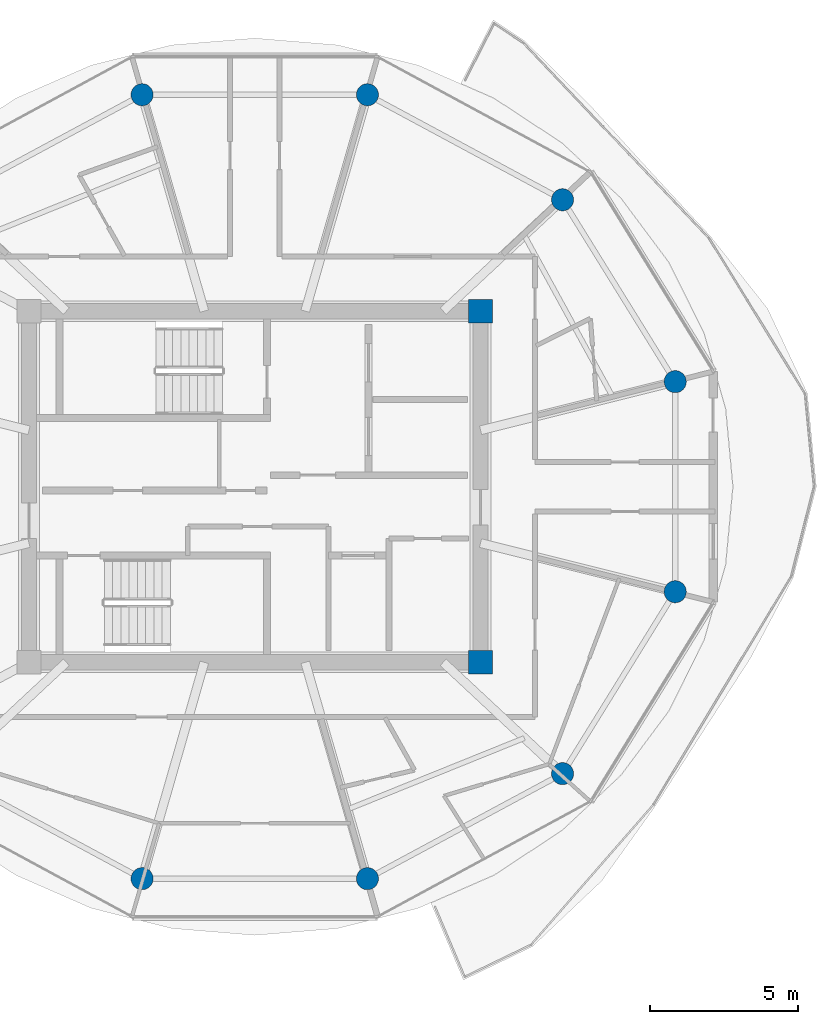
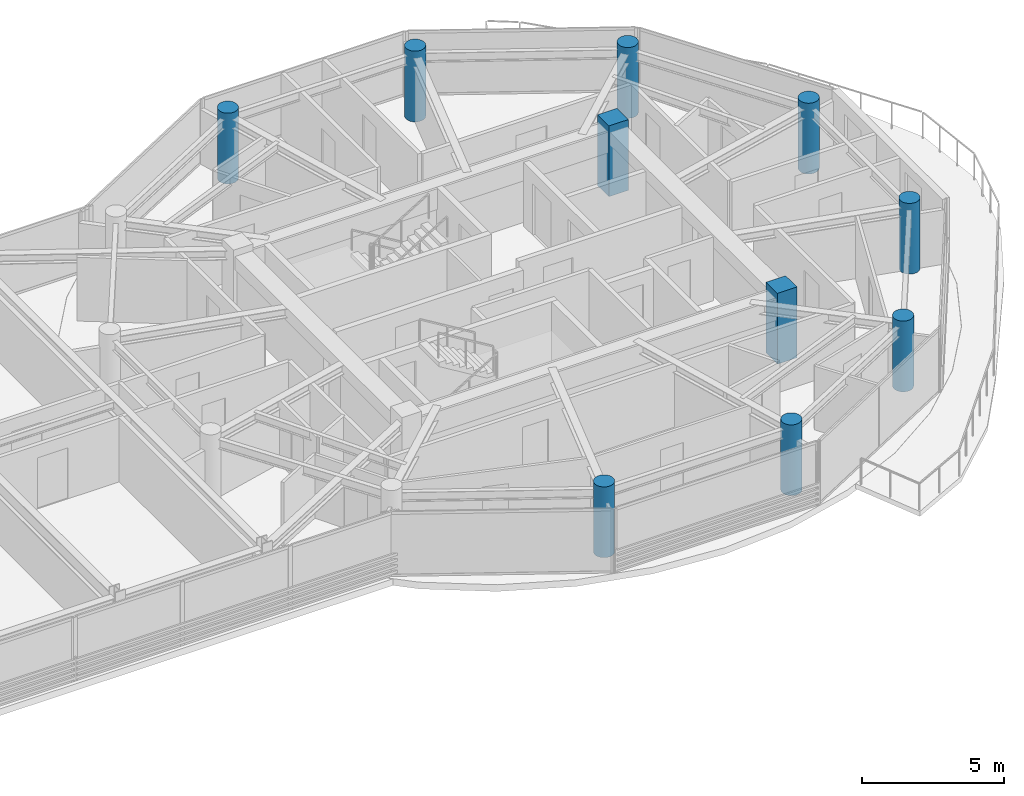
# One storey, part 2 of 24: 10 columns.
"""IFC4 building model written with IfcOpenShell, lengths in metres."""

import ifcopenshell
import ifcopenshell.guid

model = None  # the IFC model being written
_history = None  # IfcOwnerHistory: only IFC2X3 demands one
_inside = {}  # id of a spatial element -> (the spatial element, [elements in it])
_under = {}  # id of a project, library or spatial element -> (it, [spatial elements below it])
_declared = {}  # id of a project -> (the project, [libraries it declares])
_typed = {}  # id of a type object -> (the type object, [elements of that type])
_made_of = {}  # id of a material, layer set ... -> (it, [elements and type objects made of it])


def new_model(schema):
    """Start an empty IFC model of exactly this schema.

    Asked for "IFC4X3", IfcOpenShell would pick the latest addendum, in which some entities
    have other attributes; the version numbers below select the first issue.
    IFC2X3 requires an IfcOwnerHistory on every rooted entity: one is made here for all.
    """
    global model, _history
    if schema == "IFC4X3":
        model = ifcopenshell.file(schema_version=(4, 3, 0, 0))
    else:
        model = ifcopenshell.file(schema=schema)
    _inside.clear()
    _under.clear()
    _declared.clear()
    _typed.clear()
    _made_of.clear()
    _history = None
    if model.schema == "IFC2X3":
        org = make("IfcOrganization", Name="unknown")
        user = make(
            "IfcPersonAndOrganization",
            ThePerson=make("IfcPerson", FamilyName="unknown"),
            TheOrganization=org,
        )
        app = make(
            "IfcApplication",
            ApplicationDeveloper=org,
            Version="unknown",
            ApplicationFullName="unknown",
            ApplicationIdentifier="unknown",
        )
        _history = make(
            "IfcOwnerHistory",
            OwningUser=user,
            OwningApplication=app,
            ChangeAction="ADDED",
            CreationDate=0,
        )
    return model


def make(cls, **values):
    """One entity of the class cls with the attributes given. An attribute that is None is left unset."""
    return model.create_entity(
        cls, **{name: value for name, value in values.items() if value is not None}
    )


def rooted(cls, **values):
    """An entity with a GlobalId (a new one), such as an element, a storey or a relation."""
    return make(cls, GlobalId=ifcopenshell.guid.new(), OwnerHistory=_history, **values)


def si_unit(unit_type, name, prefix=None):
    """IfcSIUnit, for example si_unit("LENGTHUNIT", "METRE", prefix="MILLI")."""
    return make("IfcSIUnit", UnitType=unit_type, Prefix=prefix, Name=name)


def assignment(units):
    """IfcUnitAssignment: the units of a project."""
    return None if units is None else make("IfcUnitAssignment", Units=units)


def point(xyz):
    """IfcCartesianPoint."""
    return None if xyz is None else make("IfcCartesianPoint", Coordinates=xyz)


def direction(xyz):
    """IfcDirection."""
    return None if xyz is None else make("IfcDirection", DirectionRatios=xyz)


def frame(location, z_axis=None, x_axis=None):
    """IfcAxis2Placement3D, a coordinate frame: its origin and axes. An axis left out is left unset."""
    return make(
        "IfcAxis2Placement3D",
        Location=point(location),
        Axis=direction(z_axis),
        RefDirection=direction(x_axis),
    )


def frame_2d(location, x_axis=None):
    """IfcAxis2Placement2D, a coordinate frame in the plane: its origin and x axis."""
    return make(
        "IfcAxis2Placement2D", Location=point(location), RefDirection=direction(x_axis)
    )


def origin():
    """The frame at (0, 0, 0) with its axes left unset."""
    return frame((0.0, 0.0, 0.0))


def origin_2d():
    """The frame at (0, 0) in the plane with its x axis left unset."""
    return frame_2d((0.0, 0.0))


def place(relative_to, where):
    """IfcLocalPlacement: puts the frame where relative to a parent placement (None: the world)."""
    return make(
        "IfcLocalPlacement", PlacementRelTo=relative_to, RelativePlacement=where
    )


def context(
    kind, dimensions, precision=None, world=None, true_north=None, identifier=None
):
    """IfcGeometricRepresentationContext, for example the 3D "Model" context."""
    return make(
        "IfcGeometricRepresentationContext",
        ContextIdentifier=identifier,
        ContextType=kind,
        CoordinateSpaceDimension=dimensions,
        Precision=precision,
        WorldCoordinateSystem=world,
        TrueNorth=true_north,
    )


def subcontext(parent, identifier, kind, view, scale=None):
    """IfcGeometricRepresentationSubContext, for example "Body" below "Model"."""
    return make(
        "IfcGeometricRepresentationSubContext",
        ContextIdentifier=identifier,
        ContextType=kind,
        ParentContext=parent,
        TargetScale=scale,
        TargetView=view,
    )


def project(units=None, contexts=None):
    """IfcProject with its units and contexts."""
    return rooted(
        "IfcProject",
        Name="project",
        RepresentationContexts=contexts,
        UnitsInContext=assignment(units),
    )


def spatial(cls, under=None, at=None, **own):
    """A site, building, storey or space (cls), placed at a placement, below another one or the project."""
    s = rooted(cls, ObjectPlacement=at, **own)
    if under is not None:
        _under.setdefault(under.id(), (under, []))[1].append(s)
    return s


def profile(cls, at=None, kind="AREA", **sizes):
    """A parametric profile (cls). Its sizes go by their IFC names, for example OverallWidth=200.0."""
    return make(cls, ProfileType=kind, Position=at, **sizes)


def rectangle(**sizes):
    """IfcRectangleProfileDef."""
    return profile("IfcRectangleProfileDef", **sizes)


def circle(**sizes):
    """IfcCircleProfileDef."""
    return profile("IfcCircleProfileDef", **sizes)


def extrude(swept, where, along, depth):
    """IfcExtrudedAreaSolid: the profile swept, set in the frame where, extruded along a direction by depth."""
    return make(
        "IfcExtrudedAreaSolid",
        SweptArea=swept,
        Position=where,
        ExtrudedDirection=direction(along),
        Depth=depth,
    )


def shape(context_of_items, identifier, shape_type, items):
    """IfcShapeRepresentation: the items that make up one representation, for example the "Body"."""
    return make(
        "IfcShapeRepresentation",
        ContextOfItems=context_of_items,
        RepresentationIdentifier=identifier,
        RepresentationType=shape_type,
        Items=items,
    )


def source(mapping_origin, context_of_items, identifier, shape_type, items):
    """IfcRepresentationMap: a shape defined once, which mapped items show again and again."""
    return make(
        "IfcRepresentationMap",
        MappingOrigin=mapping_origin,
        MappedRepresentation=shape(context_of_items, identifier, shape_type, items),
    )


def transform(
    local_origin,
    x_axis=None,
    y_axis=None,
    z_axis=None,
    scale=None,
    scale2=None,
    scale3=None,
    uniform=True,
):
    """IfcCartesianTransformationOperator3D, or its non-uniform kind. x_axis, y_axis, z_axis: its Axis1, 2, 3."""
    if uniform:
        return make(
            "IfcCartesianTransformationOperator3D",
            Axis1=direction(x_axis),
            Axis2=direction(y_axis),
            LocalOrigin=point(local_origin),
            Scale=scale,
            Axis3=direction(z_axis),
        )
    return make(
        "IfcCartesianTransformationOperator3DnonUniform",
        Axis1=direction(x_axis),
        Axis2=direction(y_axis),
        LocalOrigin=point(local_origin),
        Scale=scale,
        Axis3=direction(z_axis),
        Scale2=scale2,
        Scale3=scale3,
    )


def mapped(mapping_source, mapping_target):
    """IfcMappedItem: shows the shape of a source again, moved by a transform."""
    return make(
        "IfcMappedItem", MappingSource=mapping_source, MappingTarget=mapping_target
    )


def material(Name=None, Category=None):
    """IfcMaterial."""
    return make("IfcMaterial", Name=Name, Category=Category)


def material_profile(
    of_material, cross_section, Name=None, Category=None, Priority=None
):
    """IfcMaterialProfile: a cross section and its material."""
    return make(
        "IfcMaterialProfile",
        Name=Name,
        Material=of_material,
        Profile=cross_section,
        Priority=Priority,
        Category=Category,
    )


def profile_set(profiles, Name=None, composite=None):
    """IfcMaterialProfileSet."""
    return make(
        "IfcMaterialProfileSet",
        Name=Name,
        MaterialProfiles=profiles,
        CompositeProfile=composite,
    )


def made_of(thing, what):
    """Note that an element or type object is made of a material, layer set ...; save() writes the relation."""
    if what is not None:
        _made_of.setdefault(what.id(), (what, []))[1].append(thing)
    return thing


def type_object(cls, material=None, **own):
    """A type object (cls), such as IfcWallType, which elements share."""
    return made_of(rooted(cls, **own), material)


def type_shapes(of_type, sources):
    """Give a type object the sources (RepresentationMaps) that its elements show as mapped items."""
    of_type.RepresentationMaps = sources


def element(
    cls,
    number,
    at=None,
    inside=None,
    cuts=None,
    type_object=None,
    material=None,
    context=None,
    identifier="Body",
    shape_type=None,
    held_by="IfcProductDefinitionShape",
    body=None,
    shapes=None,
    **own,
):
    """One element of the class cls, such as IfcWall. Its Tag is "e" and its number.

    at: its placement. inside: the storey or other place that contains it. cuts: it is an
    opening in that element (IfcRelVoidsElement). A single representation is given by context,
    identifier, shape_type and body (its items); several are given by shapes. held_by: the class
    of the entity that holds the representations. save() writes the other relations.
    """
    e = rooted(cls, Tag="e%d" % number, ObjectPlacement=at, **own)
    if body is not None:
        shapes = [shape(context, identifier, shape_type, body)]
    if shapes is not None:
        e.Representation = make(held_by, Representations=shapes)
    if inside is not None:
        _inside.setdefault(inside.id(), (inside, []))[1].append(e)
    if cuts is not None:
        rooted(
            "IfcRelVoidsElement", RelatingBuildingElement=cuts, RelatedOpeningElement=e
        )
    if type_object is not None:
        _typed.setdefault(type_object.id(), (type_object, []))[1].append(e)
    return made_of(e, material)


def aggregate(whole, parts):
    """IfcRelAggregates: a whole, such as a stair, and the parts it consists of."""
    return rooted("IfcRelAggregates", RelatingObject=whole, RelatedObjects=parts)


def save(model, path):
    """Write the relations noted so far, then the file.

    IfcRelAggregates (storeys below a building ...), IfcRelContainedInSpatialStructure (elements
    in a storey), IfcRelDefinesByType, IfcRelAssociatesMaterial and IfcRelDeclares: one each for
    every whole, place, type object, material and project.
    """
    for whole, parts in _under.values():
        aggregate(whole, parts)
    for where, things in _inside.values():
        rooted(
            "IfcRelContainedInSpatialStructure",
            RelatedElements=things,
            RelatingStructure=where,
        )
    for kind, things in _typed.values():
        rooted("IfcRelDefinesByType", RelatedObjects=things, RelatingType=kind)
    for what, things in _made_of.values():
        rooted("IfcRelAssociatesMaterial", RelatedObjects=things, RelatingMaterial=what)
    for by, libraries in _declared.values():
        rooted("IfcRelDeclares", RelatingContext=by, RelatedDefinitions=libraries)
    model.write(path)


model = new_model("IFC4")

# Units and contexts
model_context = context("Model", 3, precision=1e-05, world=origin(), true_north=direction((0.0, 1.0)))
body_context = subcontext(model_context, "Body", "Model", "MODEL_VIEW")
ifc_project = project(units=[si_unit("LENGTHUNIT", "METRE"), si_unit("AREAUNIT", "SQUARE_METRE"), si_unit("VOLUMEUNIT", "CUBIC_METRE"), si_unit("PLANEANGLEUNIT", "RADIAN"), si_unit("MASSUNIT", "GRAM", prefix="KILO")], contexts=[model_context])

# Site, building, storey
site_placement = place(None, origin())
site = spatial("IfcSite", under=ifc_project, at=site_placement, CompositionType="ELEMENT")
building_placement = place(site_placement, origin())
building = spatial("IfcBuilding", under=site, at=building_placement, Name="Norrkilde Senior Care Towers", CompositionType="ELEMENT")
storey_placement = place(building_placement, frame((0.0, 0.0, 213.89990234375)))
storey = spatial("IfcBuildingStorey", under=building, at=storey_placement, Name="L66", CompositionType="ELEMENT", Elevation=213.89990234375)

# Columns
ifc_material_1 = material(Name="Concrete C60/75", Category="concrete")
ifc_material_profile_1 = material_profile(ifc_material_1, rectangle(XDim=0.800048828125, YDim=0.800048828125, at=origin_2d()), Name="RC COL 800x800")
ifc_profile_set_1 = profile_set([ifc_material_profile_1], Name="Concrete C60/75")
column_type_1 = type_object("IfcColumnType", Name="Column Core Corner Z3-Z4 800", PredefinedType="COLUMN", material=ifc_profile_set_1)
shared_shape_1 = source(origin(), body_context, "Body", "SweptSolid", [
    extrude(rectangle(XDim=0.800048828125, YDim=0.800048828125, at=origin_2d()), origin(), (0.0, 0.0, 1.0), 3.050048828125),
])
type_shapes(column_type_1, [shared_shape_1])
for number, where, z_axis, x_axis, name in (
    (1, (35.64990234375, -5.949951171875, 0.0), (0.0, 0.0, 1.0), (1.0, 0.0, 0.0), "L66 Core E Corner Column 2"),
    (2, (35.64990234375, 5.949951171875, 0.0), (0.0, 0.0, 1.0), (1.0, 0.0, 0.0), "L66 Core E Corner Column 3"),
):
    element("IfcColumn", number, at=place(storey_placement, frame(where, z_axis=z_axis, x_axis=x_axis)), inside=storey, type_object=column_type_1, Name=name, PredefinedType="COLUMN", context=body_context, shape_type="MappedRepresentation", body=[
        mapped(shared_shape_1, transform((0.0, 0.0, 0.0), x_axis=(1.0, 0.0, 0.0), y_axis=(0.0, 1.0, 0.0), z_axis=(0.0, 0.0, 1.0), scale=1.0)),
    ])
ifc_material_2 = material(Name="Concrete C50/60", Category="concrete")
ifc_material_profile_2 = material_profile(ifc_material_2, circle(Radius=0.375, at=origin_2d()), Name="RC CIR 750")
ifc_profile_set_2 = profile_set([ifc_material_profile_2], Name="Concrete C50/60")
column_type_2 = type_object("IfcColumnType", Name="Column Perimeter Z4 750", PredefinedType="COLUMN", material=ifc_profile_set_2)
shared_shape_2 = source(origin(), body_context, "Body", "SweptSolid", [
    extrude(circle(Radius=0.375, at=origin_2d()), origin(), (0.0, 0.0, 1.0), 3.050048828125),
])
type_shapes(column_type_2, [shared_shape_2])
for number, where, z_axis, x_axis, name in (
    (3, (42.247314453125, 3.558837890625, 0.0), (0.0, 0.0, 1.0), (1.0, 0.0, 0.0), "L66 Drum E Perimeter Column 01"),
    (4, (38.429931640625, 9.72265625, 0.0), (0.0, 0.0, 1.0), (1.0, 0.0, 0.0), "L66 Drum E Perimeter Column 02"),
    (5, (31.817626953125, 13.281494140625, 0.0), (0.0, 0.0, 1.0), (1.0, 0.0, 0.0), "L66 Drum E Perimeter Column 03"),
    (6, (24.182373046875, 13.281494140625, 0.0), (0.0, 0.0, 1.0), (1.0, 0.0, 0.0), "L66 Drum E Perimeter Column 04"),
    (7, (24.182373046875, -13.281494140625, 0.0), (0.0, 0.0, 1.0), (1.0, 0.0, 0.0), "L66 Drum E Perimeter Column 09"),
    (8, (31.817626953125, -13.281494140625, 0.0), (0.0, 0.0, 1.0), (1.0, 0.0, 0.0), "L66 Drum E Perimeter Column 10"),
    (9, (38.429931640625, -9.72265625, 0.0), (0.0, 0.0, 1.0), (1.0, 0.0, 0.0), "L66 Drum E Perimeter Column 11"),
    (10, (42.247314453125, -3.558837890625, 0.0), (0.0, 0.0, 1.0), (1.0, 0.0, 0.0), "L66 Drum E Perimeter Column 12"),
):
    element("IfcColumn", number, at=place(storey_placement, frame(where, z_axis=z_axis, x_axis=x_axis)), inside=storey, type_object=column_type_2, Name=name, PredefinedType="COLUMN", context=body_context, shape_type="MappedRepresentation", body=[
        mapped(shared_shape_2, transform((0.0, 0.0, 0.0), x_axis=(1.0, 0.0, 0.0), y_axis=(0.0, 1.0, 0.0), z_axis=(0.0, 0.0, 1.0), scale=1.0)),
    ])

save(model, "model.ifc")
